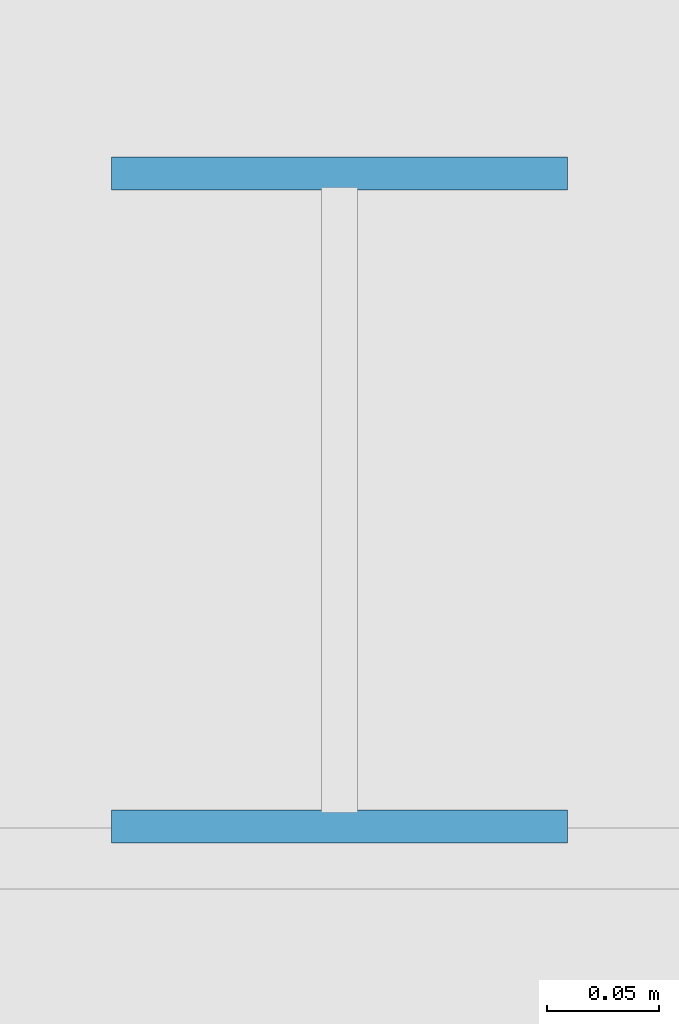
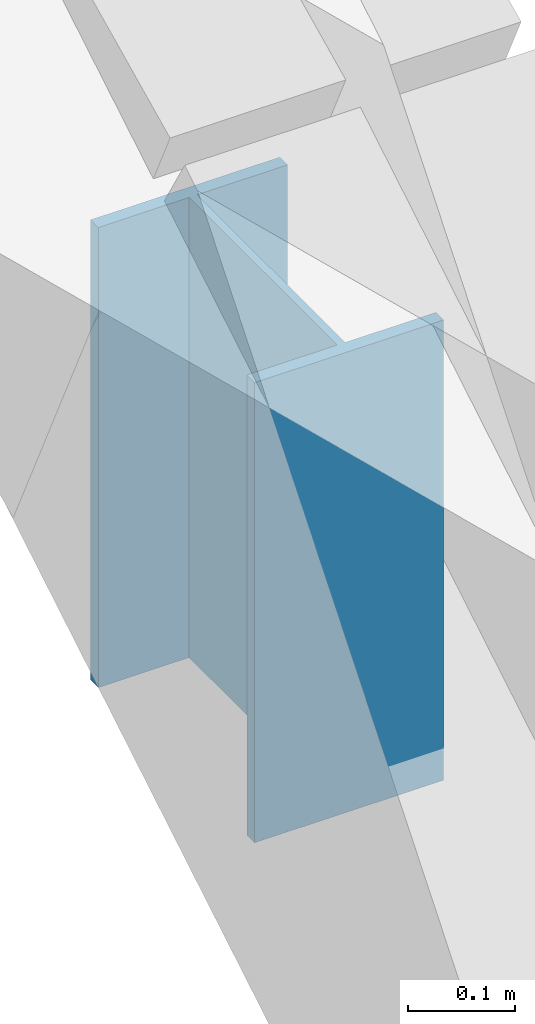
# One storey, part 63 of 92: 1 member.
"""IFC4 building model written with IfcOpenShell, lengths in metres."""

from ifc_helpers import new_model, si_unit, direction, frame, origin, origin_2d, place, context, subcontext, project, spatial, i_section, extrude, material, material_profile, profile_set, type_object, element, save


model = new_model("IFC4")

# Units and contexts
model_context = context("Model", 3, precision=1e-05, world=origin(), true_north=direction((0.0, 1.0)))
body_context = subcontext(model_context, "Body", "Model", "MODEL_VIEW")
ifc_project = project(units=[si_unit("LENGTHUNIT", "METRE"), si_unit("AREAUNIT", "SQUARE_METRE"), si_unit("VOLUMEUNIT", "CUBIC_METRE"), si_unit("PLANEANGLEUNIT", "RADIAN"), si_unit("MASSUNIT", "GRAM", prefix="KILO")], contexts=[model_context])

# Site, building, storey
site_placement = place(None, origin())
site = spatial("IfcSite", under=ifc_project, at=site_placement, CompositionType="ELEMENT")
building_placement = place(site_placement, origin())
building = spatial("IfcBuilding", under=site, at=building_placement, Name="Ciguamira Faculty of Natural Sciences", CompositionType="ELEMENT")
storey_placement = place(building_placement, frame((0.0, 0.0, 16.800048828125)))
storey = spatial("IfcBuildingStorey", under=building, at=storey_placement, Name="L04", CompositionType="ELEMENT", Elevation=16.800048828125)

# Member
ifc_material = material(Name="Steel ASTM A992 Grade 50", Category="steel")
ifc_material_profile = material_profile(ifc_material, i_section(OverallWidth=0.20458984375, OverallDepth=0.307373046875, WebThickness=0.008544921875, FlangeThickness=0.0146484375, at=origin_2d()), Name="W12X45")
ifc_profile_set = profile_set([ifc_material_profile], Name="Steel ASTM A992 Grade 50")
member_type = type_object("IfcMemberType", Name="SteelMember_TS-01_W12X45", PredefinedType="STRUT", material=ifc_profile_set)
member_placement = place(storey_placement, frame((110.10009765625, 88.75, 0.0), z_axis=(0.0, 0.0, 1.0), x_axis=(1.0, 0.0, 0.0)))
element("IfcMember", 1, at=member_placement, inside=storey, type_object=member_type, Name="V4 wave roof 7 edge rib support post 2-2", PredefinedType="STRUT", context=body_context, shape_type="SweptSolid", body=[
    extrude(i_section(OverallWidth=0.20458984375, OverallDepth=0.307373046875, WebThickness=0.008544921875, FlangeThickness=0.0146484375, at=origin_2d()), origin(), (0.0, 0.0, 1.0), 0.5263671875),
])

save(model, "model.ifc")
